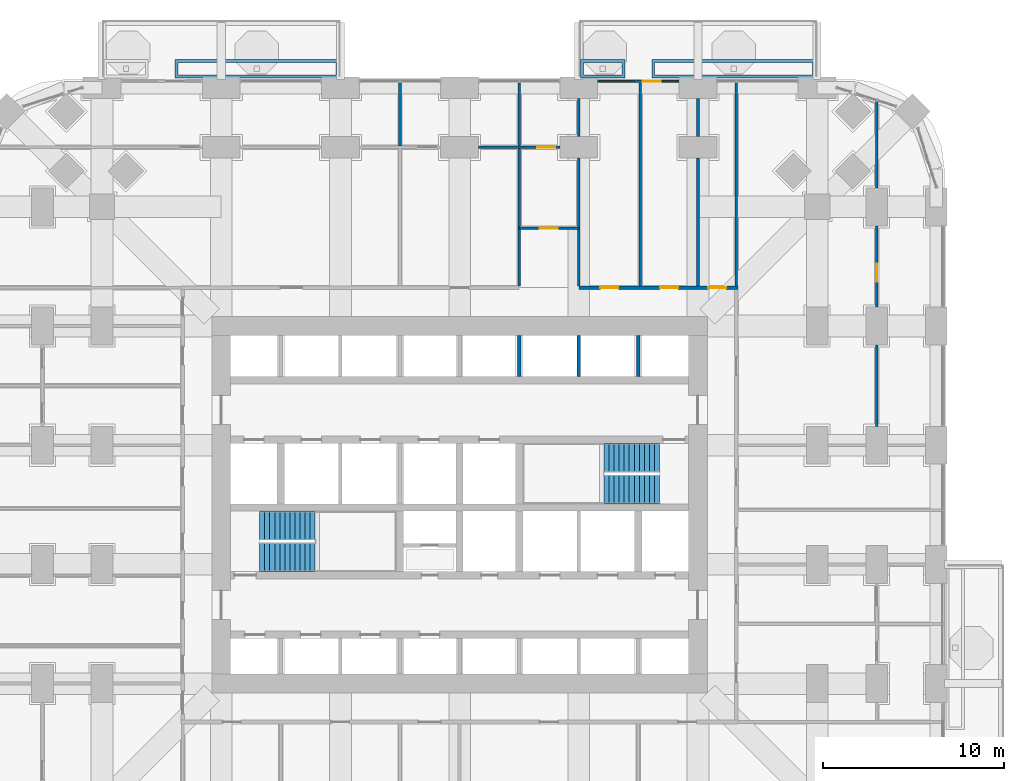
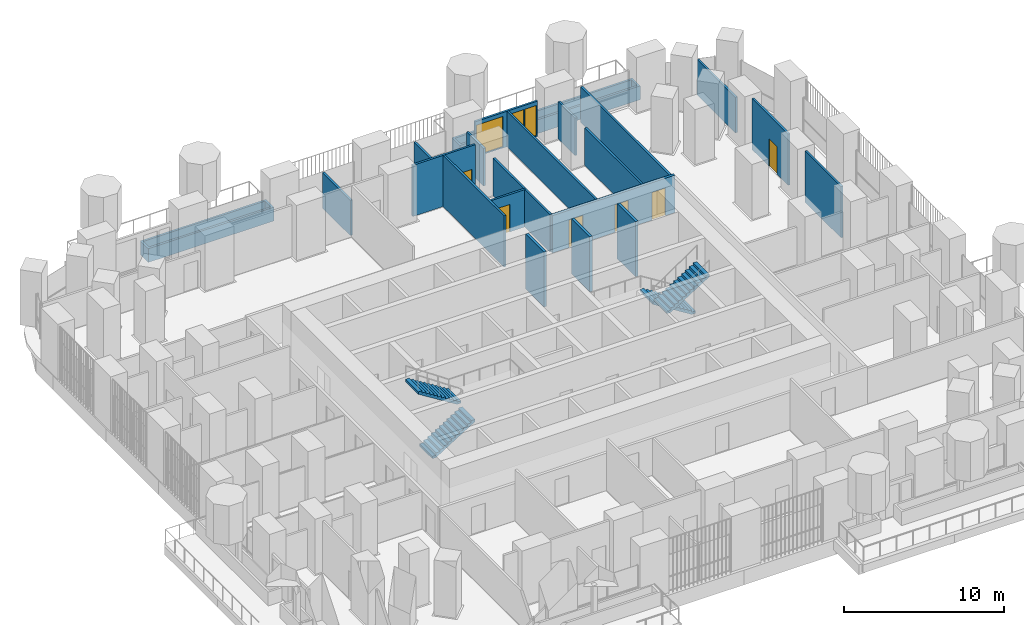
# One storey, part 22 of 27: 22 walls, 7 doors, 4 stair flights, 2 windows, 9 openings, 2 elements without a shape of their own.
"""IFC4 building model written with IfcOpenShell, lengths in metres."""

from ifc_helpers import new_model, si_unit, direction, frame, frame_2d, origin, place, context, subcontext, project, spatial, polyline, rectangle, outline, extrude, material, layer, layer_set, type_object, element, fill, aggregate, save


model = new_model("IFC4")

# Units and contexts
model_context = context("Model", 3, precision=1e-05, world=origin(), true_north=direction((0.0, 1.0)))
body_context = subcontext(model_context, "Body", "Model", "MODEL_VIEW")
ifc_project = project(units=[si_unit("LENGTHUNIT", "METRE"), si_unit("AREAUNIT", "SQUARE_METRE"), si_unit("VOLUMEUNIT", "CUBIC_METRE"), si_unit("PLANEANGLEUNIT", "RADIAN"), si_unit("MASSUNIT", "GRAM", prefix="KILO")], contexts=[model_context])

# Site, building, storey
site_placement = place(None, origin())
site = spatial("IfcSite", under=ifc_project, at=site_placement, CompositionType="ELEMENT")
building_placement = place(site_placement, origin())
building = spatial("IfcBuilding", under=site, at=building_placement, Name="Cobogo Forest Laboratory Tower", CompositionType="ELEMENT")
storey_placement = place(building_placement, frame((0.0, 0.0, 38.10009765625)))
storey = spatial("IfcBuildingStorey", under=building, at=storey_placement, Name="L08", CompositionType="ELEMENT", Elevation=38.10009765625)

# Wall, openings, door, windows
ifc_material_1 = material(Name="Aluminium framed glazed screen", Category="aluminium")
ifc_layer_1 = layer(ifc_material_1, 0.14990234375)
ifc_layer_set_1 = layer_set([ifc_layer_1], Name="GS1 glazed door screen 150")
wall_type_1 = type_object("IfcWallType", Name="GS1 glazed door screen 150", PredefinedType="SOLIDWALL", material=ifc_layer_set_1)
wall_1_placement = place(storey_placement, frame((38.550048828125, 46.550048828125, 0.0), z_axis=(0.0, 0.0, 1.0), x_axis=(-1.0, 0.0, 0.0)))
wall_1 = element("IfcWall", 1, at=wall_1_placement, inside=storey, type_object=wall_type_1, Name="Door screen BAL-N2 L08", PredefinedType="SOLIDWALL", context=body_context, shape_type="SweptSolid", body=[
    extrude(rectangle(XDim=4.5, YDim=0.14990234375, at=frame_2d((2.25, 0.0))), origin(), (0.0, 0.0, 1.0), 2.699951171875),
])
opening_1_placement = place(wall_1_placement, frame((1.0, 0.0, 0.0)))
opening_1 = element("IfcOpeningElement", 2, at=opening_1_placement, cuts=wall_1, Name="Opening L08-D53", PredefinedType="OPENING", context=body_context, shape_type="SweptSolid", body=[
    extrude(rectangle(XDim=1.0, YDim=2.39990234375, at=frame_2d((0.5, 1.199951171875))), frame((0.0, 0.0849609375, 0.0), z_axis=(0.0, -1.0, 0.0), x_axis=(1.0, 0.0, 0.0)), (0.0, 0.0, 1.0), 0.169921875),
])
opening_2_placement = place(wall_1_placement, frame((0.10009765625, 0.0, 0.10009765625)))
opening_2 = element("IfcOpeningElement", 3, at=opening_2_placement, cuts=wall_1, Name="Opening L08-W12", PredefinedType="OPENING", context=body_context, shape_type="SweptSolid", body=[
    extrude(rectangle(XDim=0.800048828125, YDim=2.300048828125, at=frame_2d((0.39990234375, 1.14990234375))), frame((0.0, 0.0849609375, 0.0), z_axis=(0.0, -1.0, 0.0), x_axis=(1.0, 0.0, 0.0)), (0.0, 0.0, 1.0), 0.169921875),
])
opening_3_placement = place(wall_1_placement, frame((2.5, 0.0, 0.10009765625)))
opening_3 = element("IfcOpeningElement", 4, at=opening_3_placement, cuts=wall_1, Name="Opening L08-W11", PredefinedType="OPENING", context=body_context, shape_type="SweptSolid", body=[
    extrude(rectangle(XDim=1.89990234375, YDim=2.300048828125, at=frame_2d((0.949951171875, 1.14990234375))), frame((0.0, 0.0849609375, 0.0), z_axis=(0.0, -1.0, 0.0), x_axis=(1.0, 0.0, 0.0)), (0.0, 0.0, 1.0), 0.169921875),
])
ifc_material_2 = material(Name="Aluminium glazed door", Category="aluminium")
door_type_1 = type_object("IfcDoorType", Name="DB1 balcony door 1000 glazed", OperationType="SINGLE_SWING_LEFT", PredefinedType="DOOR", material=ifc_material_2)
door_1_placement = place(opening_1_placement, origin())
door_1 = element("IfcDoor", 5, at=door_1_placement, inside=storey, type_object=door_type_1, Name="Door L08-BAL-N2", OperationType="SINGLE_SWING_LEFT", OverallHeight=2.39990234375, OverallWidth=1.0, PredefinedType="DOOR", context=body_context, shape_type="SweptSolid", body=[
    extrude(rectangle(XDim=1.0, YDim=2.39990234375, at=frame_2d((0.5, 1.199951171875))), frame((0.0, 0.02490234375, 0.0), z_axis=(0.0, -1.0, 0.0), x_axis=(1.0, 0.0, 0.0)), (0.0, 0.0, 1.0), 0.050048828125),
])
fill(opening_1, door_1)
ifc_material_3 = material(Name="Aluminium framed glazing", Category="aluminium")
window_type_1 = type_object("IfcWindowType", Name="WG3 fixed glazed light 1900x2300", PartitioningType="SINGLE_PANEL", PredefinedType="WINDOW", material=ifc_material_3)
window_1_placement = place(opening_3_placement, origin())
window_1 = element("IfcWindow", 6, at=window_1_placement, inside=storey, type_object=window_type_1, Name="Window L08-BAL-N2-2", OverallHeight=2.300048828125, OverallWidth=1.89990234375, PartitioningType="SINGLE_PANEL", PredefinedType="WINDOW", context=body_context, shape_type="SweptSolid", body=[
    extrude(rectangle(XDim=1.89990234375, YDim=2.300048828125, at=frame_2d((0.949951171875, 1.14990234375))), frame((0.0, 0.030029296875, 0.0), z_axis=(0.0, -1.0, 0.0), x_axis=(1.0, 0.0, 0.0)), (0.0, 0.0, 1.0), 0.06005859375),
])
fill(opening_3, window_1)
window_type_2 = type_object("IfcWindowType", Name="WG4 fixed glazed light 800x2300", PartitioningType="SINGLE_PANEL", PredefinedType="WINDOW", material=ifc_material_3)
window_2_placement = place(opening_2_placement, origin())
window_2 = element("IfcWindow", 7, at=window_2_placement, inside=storey, type_object=window_type_2, Name="Window L08-BAL-N2-1", OverallHeight=2.300048828125, OverallWidth=0.800048828125, PartitioningType="SINGLE_PANEL", PredefinedType="WINDOW", context=body_context, shape_type="SweptSolid", body=[
    extrude(rectangle(XDim=0.800048828125, YDim=2.300048828125, at=frame_2d((0.39990234375, 1.14990234375))), frame((0.0, 0.030029296875, 0.0), z_axis=(0.0, -1.0, 0.0), x_axis=(1.0, 0.0, 0.0)), (0.0, 0.0, 1.0), 0.06005859375),
])
fill(opening_2, window_2)

# Walls
ifc_material_4 = material(Name="Gypsum board on steel studs", Category="steel")
ifc_layer_2 = layer(ifc_material_4, 0.14990234375)
ifc_layer_set_2 = layer_set([ifc_layer_2], Name="PT1 laboratory partition 150")
wall_type_2 = type_object("IfcWallType", Name="PT1 laboratory partition 150", PredefinedType="PARTITIONING", material=ifc_layer_set_2)
wall_2_placement = place(storey_placement, frame((41.72509765625, 46.469970703125, 0.0), z_axis=(0.0, 0.0, 1.0), x_axis=(0.0, -1.0, 0.0)))
element("IfcWall", 8, at=wall_2_placement, inside=storey, type_object=wall_type_2, Name="Partition PW-NE L08", PredefinedType="PARTITIONING", context=body_context, shape_type="SweptSolid", body=[
    extrude(rectangle(XDim=11.244873046875, YDim=0.14990234375, at=frame_2d((5.62255859375, 0.0))), origin(), (0.0, 0.0, 1.0), 2.699951171875),
])
wall_3_placement = place(storey_placement, frame((49.5, 27.449951171875, 0.0), z_axis=(0.0, 0.0, 1.0), x_axis=(0.0, 1.0, 0.0)))
element("IfcWall", 9, at=wall_3_placement, inside=storey, type_object=wall_type_2, Name="Partition STRIP-E-3 L08", PredefinedType="PARTITIONING", context=body_context, shape_type="SweptSolid", body=[
    extrude(rectangle(XDim=4.5, YDim=0.14990234375, at=frame_2d((2.25, 0.0))), origin(), (0.0, 0.0, 1.0), 3.89990234375),
])

# Wall, opening, door
wall_4_placement = place(storey_placement, frame((49.5, 34.050048828125, 0.0), z_axis=(0.0, 0.0, 1.0), x_axis=(0.0, 1.0, 0.0)))
wall_4 = element("IfcWall", 10, at=wall_4_placement, inside=storey, type_object=wall_type_2, Name="Partition STRIP-E-4 L08", PredefinedType="PARTITIONING", context=body_context, shape_type="SweptSolid", body=[
    extrude(rectangle(XDim=4.5, YDim=0.14990234375, at=frame_2d((2.25, 0.0))), origin(), (0.0, 0.0, 1.0), 3.89990234375),
])
opening_4_placement = place(wall_4_placement, frame((1.39208984375, 0.0, 0.0)))
opening_4 = element("IfcOpeningElement", 11, at=opening_4_placement, cuts=wall_4, Name="Opening L08-D47", PredefinedType="OPENING", context=body_context, shape_type="SweptSolid", body=[
    extrude(rectangle(XDim=1.0, YDim=2.10009765625, at=frame_2d((0.5, 1.050048828125))), frame((0.0, 0.0849609375, 0.0), z_axis=(0.0, -1.0, 0.0), x_axis=(1.0, 0.0, 0.0)), (0.0, 0.0, 1.0), 0.169921875),
])
ifc_material_5 = material(Name="Timber fire door", Category="wood")
door_type_2 = type_object("IfcDoorType", Name="FD2 fire door 1000 EI2 30", OperationType="SINGLE_SWING_LEFT", PredefinedType="DOOR", material=ifc_material_5)
door_2_placement = place(opening_4_placement, origin())
door_2 = element("IfcDoor", 12, at=door_2_placement, inside=storey, type_object=door_type_2, Name="Door L08-E3W", OperationType="SINGLE_SWING_LEFT", OverallHeight=2.10009765625, OverallWidth=1.0, PredefinedType="DOOR", context=body_context, shape_type="SweptSolid", body=[
    extrude(rectangle(XDim=1.0, YDim=2.10009765625, at=frame_2d((0.5, 1.050048828125))), frame((0.0, 0.02490234375, 0.0), z_axis=(0.0, -1.0, 0.0), x_axis=(1.0, 0.0, 0.0)), (0.0, 0.0, 1.0), 0.050048828125),
])
fill(opening_4, door_2)

# Wall
wall_5_placement = place(storey_placement, frame((49.5, 40.64990234375, 0.0), z_axis=(0.0, 0.0, 1.0), x_axis=(0.0, 1.0, 0.0)))
element("IfcWall", 13, at=wall_5_placement, inside=storey, type_object=wall_type_2, Name="Partition STRIP-E-5 L08", PredefinedType="PARTITIONING", context=body_context, shape_type="SweptSolid", body=[
    extrude(rectangle(XDim=4.774169921875, YDim=0.14990234375, at=frame_2d((2.38720703125, 0.0))), origin(), (0.0, 0.0, 1.0), 2.699951171875),
])

# Wall, opening, door
wall_6_placement = place(storey_placement, frame((31.949951171875, 42.89990234375, 0.0), z_axis=(0.0, 0.0, 1.0), x_axis=(-1.0, 0.0, 0.0)))
wall_6 = element("IfcWall", 14, at=wall_6_placement, inside=storey, type_object=wall_type_2, Name="Partition STRIP-N-1 L08", PredefinedType="PARTITIONING", context=body_context, shape_type="SweptSolid", body=[
    extrude(rectangle(XDim=4.5, YDim=0.14990234375, at=frame_2d((2.25, 0.0))), origin(), (0.0, 0.0, 1.0), 3.89990234375),
])
opening_5_placement = place(wall_6_placement, frame((0.25, 0.0, 0.0)))
opening_5 = element("IfcOpeningElement", 15, at=opening_5_placement, cuts=wall_6, Name="Opening L08-D51", PredefinedType="OPENING", context=body_context, shape_type="SweptSolid", body=[
    extrude(rectangle(XDim=1.0, YDim=2.10009765625, at=frame_2d((0.5, 1.050048828125))), frame((0.0, 0.0849609375, 0.0), z_axis=(0.0, -1.0, 0.0), x_axis=(1.0, 0.0, 0.0)), (0.0, 0.0, 1.0), 0.169921875),
])
door_3_placement = place(opening_5_placement, origin())
door_3 = element("IfcDoor", 16, at=door_3_placement, inside=storey, type_object=door_type_2, Name="Door L08-N3W", OperationType="SINGLE_SWING_LEFT", OverallHeight=2.10009765625, OverallWidth=1.0, PredefinedType="DOOR", context=body_context, shape_type="SweptSolid", body=[
    extrude(rectangle(XDim=1.0, YDim=2.10009765625, at=frame_2d((0.5, 1.050048828125))), frame((0.0, 0.02490234375, 0.0), z_axis=(0.0, -1.0, 0.0), x_axis=(1.0, 0.0, 0.0)), (0.0, 0.0, 1.0), 0.050048828125),
])
fill(opening_5, door_3)

wall_7_placement = place(storey_placement, frame((29.699951171875, 38.425048828125, 0.0), z_axis=(0.0, 0.0, 1.0), x_axis=(1.0, 0.0, 0.0)))
wall_7 = element("IfcWall", 17, at=wall_7_placement, inside=storey, type_object=wall_type_2, Name="Partition NODE-N-1 L08", PredefinedType="PARTITIONING", context=body_context, shape_type="SweptSolid", body=[
    extrude(rectangle(XDim=3.300048828125, YDim=0.14990234375, at=frame_2d((1.64990234375, 0.0))), origin(), (0.0, 0.0, 1.0), 2.849853515625),
])
opening_6_placement = place(wall_7_placement, frame((1.14990234375, 0.0, 0.0)))
opening_6 = element("IfcOpeningElement", 18, at=opening_6_placement, cuts=wall_7, Name="Opening L08-D48", PredefinedType="OPENING", context=body_context, shape_type="SweptSolid", body=[
    extrude(rectangle(XDim=1.0, YDim=2.10009765625, at=frame_2d((0.5, 1.050048828125))), frame((0.0, 0.0849609375, 0.0), z_axis=(0.0, -1.0, 0.0), x_axis=(1.0, 0.0, 0.0)), (0.0, 0.0, 1.0), 0.169921875),
])
door_4_placement = place(opening_6_placement, origin())
door_4 = element("IfcDoor", 19, at=door_4_placement, inside=storey, type_object=door_type_2, Name="Door L08-N3", OperationType="SINGLE_SWING_RIGHT", OverallHeight=2.10009765625, OverallWidth=1.0, PredefinedType="DOOR", context=body_context, shape_type="SweptSolid", body=[
    extrude(rectangle(XDim=1.0, YDim=2.10009765625, at=frame_2d((0.5, 1.050048828125))), frame((0.0, 0.02490234375, 0.0), z_axis=(0.0, -1.0, 0.0), x_axis=(1.0, 0.0, 0.0)), (0.0, 0.0, 1.0), 0.050048828125),
])
fill(opening_6, door_4)

# Walls
wall_8_placement = place(storey_placement, frame((36.39990234375, 46.469970703125, 0.0), z_axis=(0.0, 0.0, 1.0), x_axis=(0.0, -1.0, 0.0)))
element("IfcWall", 20, at=wall_8_placement, inside=storey, type_object=wall_type_2, Name="Partition SVC-N1-1 L08", PredefinedType="PARTITIONING", context=body_context, shape_type="SweptSolid", body=[
    extrude(rectangle(XDim=11.244873046875, YDim=0.14990234375, at=frame_2d((5.62255859375, 0.0))), origin(), (0.0, 0.0, 1.0), 2.699951171875),
])
wall_9_placement = place(storey_placement, frame((39.60009765625, 45.60009765625, 0.0), z_axis=(0.0, 0.0, 1.0), x_axis=(0.0, -1.0, 0.0)))
element("IfcWall", 21, at=wall_9_placement, inside=storey, type_object=wall_type_2, Name="Partition SVC-N2-1 L08", PredefinedType="PARTITIONING", context=body_context, shape_type="SweptSolid", body=[
    extrude(rectangle(XDim=2.10009765625, YDim=0.14990234375, at=frame_2d((1.050048828125, 0.0))), origin(), (0.0, 0.0, 1.0), 2.849853515625),
])
wall_10_placement = place(storey_placement, frame((39.60009765625, 42.300048828125, 0.0), z_axis=(0.0, 0.0, 1.0), x_axis=(0.0, -1.0, 0.0)))
element("IfcWall", 22, at=wall_10_placement, inside=storey, type_object=wall_type_2, Name="Partition SVC-N2-2 L08", PredefinedType="PARTITIONING", context=body_context, shape_type="SweptSolid", body=[
    extrude(rectangle(XDim=7.074951171875, YDim=0.14990234375, at=frame_2d((3.53759765625, 0.0))), origin(), (0.0, 0.0, 1.0), 2.849853515625),
])
for number, where, z_axis, x_axis, name in (
    (23, (23.10009765625, 46.469970703125, 0.0), (0.0, 0.0, 1.0), (0.0, -1.0, 0.0), "Partition CUT-N23.1a-1 L08"),
    (24, (29.699951171875, 46.469970703125, 0.0), (0.0, 0.0, 1.0), (0.0, -1.0, 0.0), "Partition CUT-N29.7a-1 L08"),
):
    element("IfcWall", number, at=place(storey_placement, frame(where, z_axis=z_axis, x_axis=x_axis)), inside=storey, type_object=wall_type_2, Name=name, PredefinedType="PARTITIONING", context=body_context, shape_type="SweptSolid", body=[
        extrude(rectangle(XDim=3.494873046875, YDim=0.14990234375, at=frame_2d((1.74755859375, 0.0))), origin(), (0.0, 0.0, 1.0), 2.699951171875),
    ])
wall_11_placement = place(storey_placement, frame((29.699951171875, 42.824951171875, 0.0), z_axis=(0.0, 0.0, 1.0), x_axis=(0.0, -1.0, 0.0)))
element("IfcWall", 25, at=wall_11_placement, inside=storey, type_object=wall_type_2, Name="Partition CUT-N29.7b-1 L08", PredefinedType="PARTITIONING", context=body_context, shape_type="SweptSolid", body=[
    extrude(rectangle(XDim=7.599853515625, YDim=0.14990234375, at=frame_2d((3.7998046875, 0.0))), origin(), (0.0, 0.0, 1.0), 3.89990234375),
])
wall_12_placement = place(storey_placement, frame((33.0, 45.60009765625, 0.0), z_axis=(0.0, 0.0, 1.0), x_axis=(0.0, -1.0, 0.0)))
element("IfcWall", 26, at=wall_12_placement, inside=storey, type_object=wall_type_2, Name="Partition CUT-N33-1 L08", PredefinedType="PARTITIONING", context=body_context, shape_type="SweptSolid", body=[
    extrude(rectangle(XDim=2.10009765625, YDim=0.14990234375, at=frame_2d((1.050048828125, 0.0))), origin(), (0.0, 0.0, 1.0), 2.849853515625),
])
wall_13_placement = place(storey_placement, frame((33.0, 42.300048828125, 0.0), z_axis=(0.0, 0.0, 1.0), x_axis=(0.0, -1.0, 0.0)))
element("IfcWall", 27, at=wall_13_placement, inside=storey, type_object=wall_type_2, Name="Partition CUT-N33-2 L08", PredefinedType="PARTITIONING", context=body_context, shape_type="SweptSolid", body=[
    extrude(rectangle(XDim=7.074951171875, YDim=0.14990234375, at=frame_2d((3.53759765625, 0.0))), origin(), (0.0, 0.0, 1.0), 2.849853515625),
])

# Wall, openings, doors
ifc_layer_3 = layer(ifc_material_4, 0.199951171875)
ifc_layer_set_3 = layer_set([ifc_layer_3], Name="PT2 fire-rated corridor partition 200")
wall_type_3 = type_object("IfcWallType", Name="PT2 fire-rated corridor partition 200", PredefinedType="PARTITIONING", material=ifc_layer_set_3)
wall_14_placement = place(storey_placement, frame((33.0, 35.125, 0.0), z_axis=(0.0, 0.0, 1.0), x_axis=(1.0, 0.0, 0.0)))
wall_14 = element("IfcWall", 28, at=wall_14_placement, inside=storey, type_object=wall_type_3, Name="Partition CORR-N-2 L08", PredefinedType="PARTITIONING", context=body_context, shape_type="SweptSolid", body=[
    extrude(rectangle(XDim=8.824951171875, YDim=0.199951171875, at=frame_2d((4.41259765625, 0.0))), origin(), (0.0, 0.0, 1.0), 2.849853515625),
])
opening_7_placement = place(wall_14_placement, frame((1.199951171875, 0.0, 0.0)))
opening_7 = element("IfcOpeningElement", 29, at=opening_7_placement, cuts=wall_14, Name="Opening L08-D44", PredefinedType="OPENING", context=body_context, shape_type="SweptSolid", body=[
    extrude(rectangle(XDim=1.0, YDim=2.10009765625, at=frame_2d((0.5, 1.050048828125))), frame((0.0, 0.10986328125, 0.0), z_axis=(0.0, -1.0, 0.0), x_axis=(1.0, 0.0, 0.0)), (0.0, 0.0, 1.0), 0.219970703125),
])
opening_8_placement = place(wall_14_placement, frame((4.5, 0.0, 0.0)))
opening_8 = element("IfcOpeningElement", 30, at=opening_8_placement, cuts=wall_14, Name="Opening L08-D45", PredefinedType="OPENING", context=body_context, shape_type="SweptSolid", body=[
    extrude(rectangle(XDim=1.0, YDim=2.10009765625, at=frame_2d((0.5, 1.050048828125))), frame((0.0, 0.10986328125, 0.0), z_axis=(0.0, -1.0, 0.0), x_axis=(1.0, 0.0, 0.0)), (0.0, 0.0, 1.0), 0.219970703125),
])
opening_9_placement = place(wall_14_placement, frame((7.16259765625, 0.0, 0.0)))
opening_9 = element("IfcOpeningElement", 31, at=opening_9_placement, cuts=wall_14, Name="Opening L08-D46", PredefinedType="OPENING", context=body_context, shape_type="SweptSolid", body=[
    extrude(rectangle(XDim=1.0, YDim=2.10009765625, at=frame_2d((0.5, 1.050048828125))), frame((0.0, 0.10986328125, 0.0), z_axis=(0.0, -1.0, 0.0), x_axis=(1.0, 0.0, 0.0)), (0.0, 0.0, 1.0), 0.219970703125),
])
door_5_placement = place(opening_7_placement, origin())
door_5 = element("IfcDoor", 32, at=door_5_placement, inside=storey, type_object=door_type_2, Name="Door L08-MTG", OperationType="SINGLE_SWING_LEFT", OverallHeight=2.10009765625, OverallWidth=1.0, PredefinedType="DOOR", context=body_context, shape_type="SweptSolid", body=[
    extrude(rectangle(XDim=1.0, YDim=2.10009765625, at=frame_2d((0.5, 1.050048828125))), frame((0.0, 0.02490234375, 0.0), z_axis=(0.0, -1.0, 0.0), x_axis=(1.0, 0.0, 0.0)), (0.0, 0.0, 1.0), 0.050048828125),
])
fill(opening_7, door_5)
door_6_placement = place(opening_8_placement, origin())
door_6 = element("IfcDoor", 33, at=door_6_placement, inside=storey, type_object=door_type_2, Name="Door L08-PAN", OperationType="SINGLE_SWING_RIGHT", OverallHeight=2.10009765625, OverallWidth=1.0, PredefinedType="DOOR", context=body_context, shape_type="SweptSolid", body=[
    extrude(rectangle(XDim=1.0, YDim=2.10009765625, at=frame_2d((0.5, 1.050048828125))), frame((0.0, 0.02490234375, 0.0), z_axis=(0.0, -1.0, 0.0), x_axis=(1.0, 0.0, 0.0)), (0.0, 0.0, 1.0), 0.050048828125),
])
fill(opening_8, door_6)
door_7_placement = place(opening_9_placement, origin())
door_7 = element("IfcDoor", 34, at=door_7_placement, inside=storey, type_object=door_type_2, Name="Door L08-N4", OperationType="SINGLE_SWING_RIGHT", OverallHeight=2.10009765625, OverallWidth=1.0, PredefinedType="DOOR", context=body_context, shape_type="SweptSolid", body=[
    extrude(rectangle(XDim=1.0, YDim=2.10009765625, at=frame_2d((0.5, 1.050048828125))), frame((0.0, 0.02490234375, 0.0), z_axis=(0.0, -1.0, 0.0), x_axis=(1.0, 0.0, 0.0)), (0.0, 0.0, 1.0), 0.050048828125),
])
fill(opening_9, door_7)

# Walls
ifc_material_6 = material(Name="Concrete HA-40 (C40/50)", Category="concrete")
ifc_layer_4 = layer(ifc_material_6, 0.14990234375)
ifc_layer_set_4 = layer_set([ifc_layer_4], Name="Planter box 1000x1050")
wall_type_4 = type_object("IfcWallType", Name="Planter box 1000x1050", PredefinedType="USERDEFINED", material=ifc_layer_set_4)
wall_15_placement = place(storey_placement, origin())
element("IfcWall", 35, at=wall_15_placement, inside=storey, type_object=wall_type_4, Name="Planter BAL-N1-2 L08", ObjectType="PLANTER", PredefinedType="USERDEFINED", context=body_context, shape_type="SweptSolid", body=[
    extrude(outline(polyline([(10.64990234375, 46.75), (19.699951171875, 46.75), (19.699951171875, 47.75), (10.64990234375, 47.75), (10.64990234375, 46.75)]), holes=[polyline([(10.800048828125, 46.89990234375), (19.550048828125, 46.89990234375), (19.550048828125, 47.60009765625), (10.800048828125, 47.60009765625), (10.800048828125, 46.89990234375)])]), origin(), (0.0, 0.0, 1.0), 1.0498046875),
])
wall_16_placement = place(storey_placement, origin())
element("IfcWall", 36, at=wall_16_placement, inside=storey, type_object=wall_type_4, Name="Planter BAL-N2-1 L08", ObjectType="PLANTER", PredefinedType="USERDEFINED", context=body_context, shape_type="SweptSolid", body=[
    extrude(outline(polyline([(33.10009765625, 46.75), (35.550048828125, 46.75), (35.550048828125, 47.75), (33.10009765625, 47.75), (33.10009765625, 46.75)]), holes=[polyline([(33.25, 46.89990234375), (35.39990234375, 46.89990234375), (35.39990234375, 47.60009765625), (33.25, 47.60009765625), (33.25, 46.89990234375)])]), origin(), (0.0, 0.0, 1.0), 1.0498046875),
])
wall_17_placement = place(storey_placement, origin())
element("IfcWall", 37, at=wall_17_placement, inside=storey, type_object=wall_type_4, Name="Planter BAL-N2-2 L08", ObjectType="PLANTER", PredefinedType="USERDEFINED", context=body_context, shape_type="SweptSolid", body=[
    extrude(outline(polyline([(37.050048828125, 46.75), (46.10009765625, 46.75), (46.10009765625, 47.75), (37.050048828125, 47.75), (37.050048828125, 46.75)]), holes=[polyline([(37.199951171875, 46.89990234375), (45.949951171875, 46.89990234375), (45.949951171875, 47.60009765625), (37.199951171875, 47.60009765625), (37.199951171875, 46.89990234375)])]), origin(), (0.0, 0.0, 1.0), 1.0498046875),
])
ifc_material_7 = material(Name="Concrete block", Category="concrete")
ifc_layer_5 = layer(ifc_material_7, 0.199951171875)
ifc_layer_set_5 = layer_set([ifc_layer_5], Name="SW200 lift shaft separator 200")
wall_type_5 = type_object("IfcWallType", Name="SW200 lift shaft separator 200", PredefinedType="PARTITIONING", material=ifc_layer_set_5)
for number, where, z_axis, x_axis, name in (
    (38, (29.699951171875, 30.199951171875, 0.0), (0.0, 0.0, 1.0), (0.0, 1.0, 0.0), "Core wall SEP-N5 L08"),
    (39, (33.0, 30.199951171875, 0.0), (0.0, 0.0, 1.0), (0.0, 1.0, 0.0), "Core wall SEP-N6 L08"),
    (40, (36.300048828125, 30.199951171875, 0.0), (0.0, 0.0, 1.0), (0.0, 1.0, 0.0), "Core wall SEP-N7 L08"),
):
    element("IfcWall", number, at=place(storey_placement, frame(where, z_axis=z_axis, x_axis=x_axis)), inside=storey, type_object=wall_type_5, Name=name, PredefinedType="PARTITIONING", context=body_context, shape_type="SweptSolid", body=[
        extrude(rectangle(XDim=2.275146484375, YDim=0.199951171875, at=frame_2d((1.1376953125, 0.0))), origin(), (0.0, 0.0, 1.0), 4.199951171875),
    ])

# Stair, stair flights
ifc_material_8 = material(Name="Precast concrete HA-40 (C40/50)", Category="concrete")
stair_type = type_object("IfcStairType", Name="ST24 exit stair 24 risers", PredefinedType="HALF_TURN_STAIR", material=ifc_material_8)
stair_1_placement = place(storey_placement, origin())
stair_1 = element("IfcStair", 41, at=stair_1_placement, inside=storey, type_object=stair_type, Name="Stair 1 L08 to L09", PredefinedType="HALF_TURN_STAIR")
stair_flight_type = type_object("IfcStairFlightType", Name="ST stair flight 280 going", PredefinedType="STRAIGHT", material=ifc_material_8)
stair_flight_1_placement = place(storey_placement, frame((15.324951171875, 20.199951171875, 0.0), z_axis=(0.0, 0.0, 1.0), x_axis=(1.0, 0.0, 0.0)))
stair_flight_1 = element("IfcStairFlight", 42, at=stair_flight_1_placement, type_object=stair_flight_type, Name="ST1 flight 1", NumberOfRisers=12, NumberOfTreads=11, PredefinedType="STRAIGHT", RiserHeight=0.175, TreadLength=0.28, context=body_context, shape_type="SweptSolid", body=[
    extrude(outline(polyline([(0.0, 0.0), (0.0, 0.175048828125), (0.280029296875, 0.175048828125), (0.280029296875, 0.35009765625), (0.56005859375, 0.35009765625), (0.56005859375, 0.52490234375), (0.840087890625, 0.52490234375), (0.840087890625, 0.699951171875), (1.1201171875, 0.699951171875), (1.1201171875, 0.875), (1.39990234375, 0.875), (1.39990234375, 1.050048828125), (1.679931640625, 1.050048828125), (1.679931640625, 1.22509765625), (1.9599609375, 1.22509765625), (1.9599609375, 1.39990234375), (2.239990234375, 1.39990234375), (2.239990234375, 1.574951171875), (2.52001953125, 1.574951171875), (2.52001953125, 1.75), (2.800048828125, 1.75), (2.800048828125, 1.925048828125), (3.080078125, 1.925048828125), (3.080078125, 2.10009765625), (3.080078125, 1.748291015625), (0.28271484375, 0.0), (0.0, 0.0)])), frame((0.0, 0.800048828125, 0.0), z_axis=(0.0, -1.0, 0.0), x_axis=(1.0, 0.0, 0.0)), (0.0, 0.0, 1.0), 1.60009765625),
])
stair_flight_2_placement = place(storey_placement, frame((18.405029296875, 21.949951171875, 2.099853515625), z_axis=(0.0, 0.0, 1.0), x_axis=(-1.0, 0.0, 0.0)))
stair_flight_2 = element("IfcStairFlight", 43, at=stair_flight_2_placement, type_object=stair_flight_type, Name="ST1 flight 2", NumberOfRisers=12, NumberOfTreads=11, PredefinedType="STRAIGHT", RiserHeight=0.175, TreadLength=0.28, context=body_context, shape_type="SweptSolid", body=[
    extrude(outline(polyline([(0.0, 0.0), (0.0, 0.175048828125), (0.280029296875, 0.175048828125), (0.280029296875, 0.35009765625), (0.56005859375, 0.35009765625), (0.56005859375, 0.52490234375), (0.840087890625, 0.52490234375), (0.840087890625, 0.699951171875), (1.1201171875, 0.699951171875), (1.1201171875, 0.875), (1.39990234375, 0.875), (1.39990234375, 1.050048828125), (1.679931640625, 1.050048828125), (1.679931640625, 1.22509765625), (1.9599609375, 1.22509765625), (1.9599609375, 1.39990234375), (2.239990234375, 1.39990234375), (2.239990234375, 1.574951171875), (2.52001953125, 1.574951171875), (2.52001953125, 1.75), (2.800048828125, 1.75), (2.800048828125, 1.925048828125), (3.080078125, 1.925048828125), (3.080078125, 2.10009765625), (3.080078125, 1.748291015625), (0.28271484375, 0.0), (0.0, 0.0)])), frame((0.0, 0.800048828125, 0.0), z_axis=(0.0, -1.0, 0.0), x_axis=(1.0, 0.0, 0.0)), (0.0, 0.0, 1.0), 1.60009765625),
])
aggregate(stair_1, [stair_flight_1, stair_flight_2])

stair_2_placement = place(storey_placement, origin())
stair_2 = element("IfcStair", 44, at=stair_2_placement, inside=storey, type_object=stair_type, Name="Stair 2 L08 to L09", PredefinedType="HALF_TURN_STAIR")
stair_flight_3_placement = place(storey_placement, frame((37.47509765625, 25.699951171875, 0.0), z_axis=(0.0, 0.0, 1.0), x_axis=(-1.0, 0.0, 0.0)))
stair_flight_3 = element("IfcStairFlight", 45, at=stair_flight_3_placement, type_object=stair_flight_type, Name="ST2 flight 1", NumberOfRisers=12, NumberOfTreads=11, PredefinedType="STRAIGHT", RiserHeight=0.175, TreadLength=0.28, context=body_context, shape_type="SweptSolid", body=[
    extrude(outline(polyline([(0.0, 0.0), (0.0, 0.175048828125), (0.280029296875, 0.175048828125), (0.280029296875, 0.35009765625), (0.56005859375, 0.35009765625), (0.56005859375, 0.52490234375), (0.840087890625, 0.52490234375), (0.840087890625, 0.699951171875), (1.1201171875, 0.699951171875), (1.1201171875, 0.875), (1.39990234375, 0.875), (1.39990234375, 1.050048828125), (1.679931640625, 1.050048828125), (1.679931640625, 1.22509765625), (1.9599609375, 1.22509765625), (1.9599609375, 1.39990234375), (2.239990234375, 1.39990234375), (2.239990234375, 1.574951171875), (2.52001953125, 1.574951171875), (2.52001953125, 1.75), (2.800048828125, 1.75), (2.800048828125, 1.925048828125), (3.080078125, 1.925048828125), (3.080078125, 2.10009765625), (3.080078125, 1.748291015625), (0.28271484375, 0.0), (0.0, 0.0)])), frame((0.0, 0.800048828125, 0.0), z_axis=(0.0, -1.0, 0.0), x_axis=(1.0, 0.0, 0.0)), (0.0, 0.0, 1.0), 1.60009765625),
])
stair_flight_4_placement = place(storey_placement, frame((34.39501953125, 23.949951171875, 2.099853515625), z_axis=(0.0, 0.0, 1.0), x_axis=(1.0, 0.0, 0.0)))
stair_flight_4 = element("IfcStairFlight", 46, at=stair_flight_4_placement, type_object=stair_flight_type, Name="ST2 flight 2", NumberOfRisers=12, NumberOfTreads=11, PredefinedType="STRAIGHT", RiserHeight=0.175, TreadLength=0.28, context=body_context, shape_type="SweptSolid", body=[
    extrude(outline(polyline([(0.0, 0.0), (0.0, 0.175048828125), (0.280029296875, 0.175048828125), (0.280029296875, 0.35009765625), (0.56005859375, 0.35009765625), (0.56005859375, 0.52490234375), (0.840087890625, 0.52490234375), (0.840087890625, 0.699951171875), (1.1201171875, 0.699951171875), (1.1201171875, 0.875), (1.39990234375, 0.875), (1.39990234375, 1.050048828125), (1.679931640625, 1.050048828125), (1.679931640625, 1.22509765625), (1.9599609375, 1.22509765625), (1.9599609375, 1.39990234375), (2.239990234375, 1.39990234375), (2.239990234375, 1.574951171875), (2.52001953125, 1.574951171875), (2.52001953125, 1.75), (2.800048828125, 1.75), (2.800048828125, 1.925048828125), (3.080078125, 1.925048828125), (3.080078125, 2.10009765625), (3.080078125, 1.748291015625), (0.28271484375, 0.0), (0.0, 0.0)])), frame((0.0, 0.800048828125, 0.0), z_axis=(0.0, -1.0, 0.0), x_axis=(1.0, 0.0, 0.0)), (0.0, 0.0, 1.0), 1.60009765625),
])
aggregate(stair_2, [stair_flight_3, stair_flight_4])

save(model, "model.ifc")
